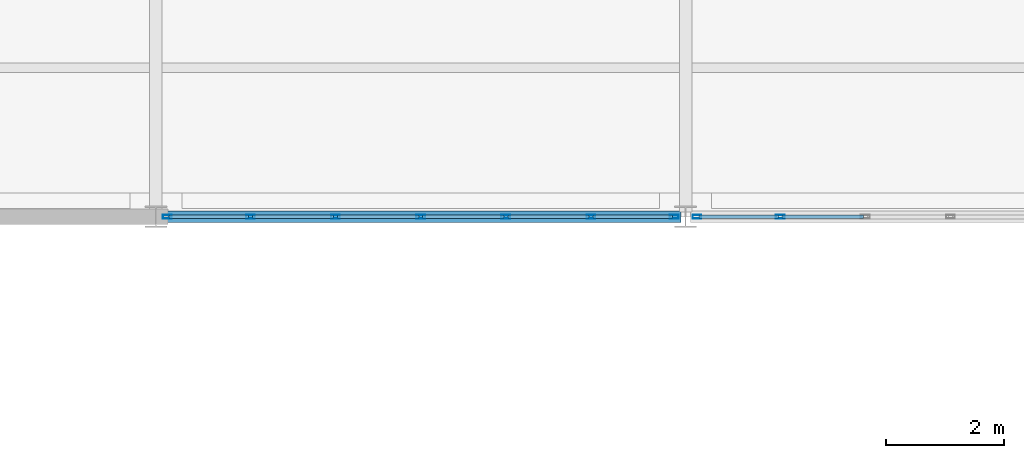
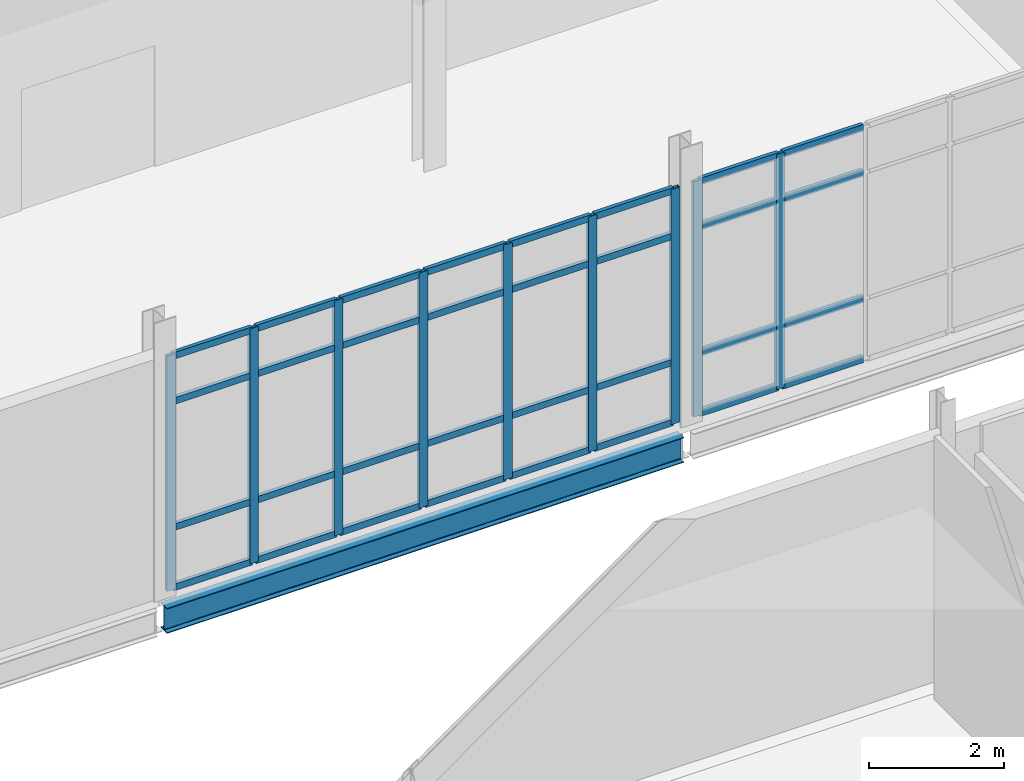
# One storey, part 36 of 161: 41 members, 1 beam, 2 elements without a shape of their own.
"""IFC4 building model written with IfcOpenShell, lengths in metres."""

from ifc_helpers import new_model, si_unit, direction, frame, origin, origin_2d, place, context, subcontext, project, spatial, hollow_rectangle, i_section, extrude, material, material_profile, profile_set, type_object, element, aggregate, save


model = new_model("IFC4")

# Units and contexts
model_context = context("Model", 3, precision=1e-05, world=origin(), true_north=direction((0.0, 1.0)))
body_context = subcontext(model_context, "Body", "Model", "MODEL_VIEW")
ifc_project = project(units=[si_unit("LENGTHUNIT", "METRE"), si_unit("AREAUNIT", "SQUARE_METRE"), si_unit("VOLUMEUNIT", "CUBIC_METRE"), si_unit("PLANEANGLEUNIT", "RADIAN"), si_unit("MASSUNIT", "GRAM", prefix="KILO")], contexts=[model_context])

# Site, building, storey
site_placement = place(None, origin())
site = spatial("IfcSite", under=ifc_project, at=site_placement, CompositionType="ELEMENT")
building_placement = place(site_placement, origin())
building = spatial("IfcBuilding", under=site, at=building_placement, Name="Caisbarro Railhouse Central Library", CompositionType="ELEMENT")
storey_placement = place(building_placement, origin())
storey = spatial("IfcBuildingStorey", under=building, at=storey_placement, Name="L00", CompositionType="ELEMENT", Elevation=0.0)

# Beam
ifc_material_1 = material(Name="Steel ASTM A572 Grade 50", Category="steel")
ifc_material_profile_1 = material_profile(ifc_material_1, i_section(OverallWidth=0.18994140625, OverallDepth=0.45703125, WebThickness=0.009033203125, FlangeThickness=0.014404296875, FilletRadius=0.01806640625, at=origin_2d()), Name="W460X74.0")
ifc_profile_set_1 = profile_set([ifc_material_profile_1], Name="Steel ASTM A572 Grade 50")
beam_type = type_object("IfcBeamType", Name="BM-SP01", PredefinedType="SPANDREL", material=ifc_profile_set_1)
beam_placement = place(storey_placement, frame((36.080078125, 30.39990234375, -0.478515625), z_axis=(1.0, 0.0, 0.0), x_axis=(0.0, 1.0, 0.0)))
element("IfcBeam", 1, at=beam_placement, inside=storey, type_object=beam_type, Name="SP01 beam L00 #249", PredefinedType="SPANDREL", context=body_context, shape_type="SweptSolid", body=[
    extrude(i_section(OverallWidth=0.18994140625, OverallDepth=0.45703125, WebThickness=0.009033203125, FlangeThickness=0.014404296875, FilletRadius=0.01806640625, at=origin_2d()), origin(), (0.0, 0.0, 1.0), 8.83984375),
])

# Curtain wall, members
ifc_material_2 = material(Name="Anodised architectural aluminium", Category="aluminium")
curtain_wall_type = type_object("IfcCurtainWallType", Name="CW-CW02", PredefinedType="NOTDEFINED", material=ifc_material_2)
curtain_wall_1_placement = place(storey_placement, origin())
curtain_wall_1 = element("IfcCurtainWall", 2, at=curtain_wall_1_placement, inside=storey, type_object=curtain_wall_type, Name="CW02 curtain wall L00 #26", PredefinedType="NOTDEFINED")
ifc_material_profile_2 = material_profile(ifc_material_2, hollow_rectangle(XDim=0.06494140625, YDim=0.14990234375, WallThickness=0.00390625, at=origin_2d()), Name="ALU-MUL-65X150")
ifc_profile_set_2 = profile_set([ifc_material_profile_2], Name="Anodised architectural aluminium")
member_type_1 = type_object("IfcMemberType", Name="CWM-M02", PredefinedType="MULLION", material=ifc_profile_set_2)
member_1_placement = place(storey_placement, frame((36.1923828125, 30.39990234375, 0.0), z_axis=(0.0, 0.0, 1.0), x_axis=(0.0, 1.0, 0.0)))
member_1 = element("IfcMember", 3, at=member_1_placement, type_object=member_type_1, Name="CW02 mullion 1", PredefinedType="MULLION", context=body_context, shape_type="SweptSolid", body=[
    extrude(hollow_rectangle(XDim=0.06494140625, YDim=0.14990234375, WallThickness=0.00390625, at=origin_2d()), origin(), (0.0, 0.0, 1.0), 4.25),
])
member_2_placement = place(storey_placement, frame((37.606689453125, 30.39990234375, 0.0), z_axis=(0.0, 0.0, 1.0), x_axis=(0.0, 1.0, 0.0)))
member_2 = element("IfcMember", 4, at=member_2_placement, type_object=member_type_1, Name="CW02 mullion 2", PredefinedType="MULLION", context=body_context, shape_type="SweptSolid", body=[
    extrude(hollow_rectangle(XDim=0.06494140625, YDim=0.14990234375, WallThickness=0.00390625, at=origin_2d()), origin(), (0.0, 0.0, 1.0), 4.25),
])
member_3_placement = place(storey_placement, frame((39.05322265625, 30.39990234375, 0.0), z_axis=(0.0, 0.0, 1.0), x_axis=(0.0, 1.0, 0.0)))
member_3 = element("IfcMember", 5, at=member_3_placement, type_object=member_type_1, Name="CW02 mullion 3", PredefinedType="MULLION", context=body_context, shape_type="SweptSolid", body=[
    extrude(hollow_rectangle(XDim=0.06494140625, YDim=0.14990234375, WallThickness=0.00390625, at=origin_2d()), origin(), (0.0, 0.0, 1.0), 4.25),
])
member_4_placement = place(storey_placement, frame((40.5, 30.39990234375, 0.0), z_axis=(0.0, 0.0, 1.0), x_axis=(0.0, 1.0, 0.0)))
member_4 = element("IfcMember", 6, at=member_4_placement, type_object=member_type_1, Name="CW02 mullion 4", PredefinedType="MULLION", context=body_context, shape_type="SweptSolid", body=[
    extrude(hollow_rectangle(XDim=0.06494140625, YDim=0.14990234375, WallThickness=0.00390625, at=origin_2d()), origin(), (0.0, 0.0, 1.0), 4.25),
])
member_5_placement = place(storey_placement, frame((41.94677734375, 30.39990234375, 0.0), z_axis=(0.0, 0.0, 1.0), x_axis=(0.0, 1.0, 0.0)))
member_5 = element("IfcMember", 7, at=member_5_placement, type_object=member_type_1, Name="CW02 mullion 5", PredefinedType="MULLION", context=body_context, shape_type="SweptSolid", body=[
    extrude(hollow_rectangle(XDim=0.06494140625, YDim=0.14990234375, WallThickness=0.00390625, at=origin_2d()), origin(), (0.0, 0.0, 1.0), 4.25),
])
member_6_placement = place(storey_placement, frame((43.393310546875, 30.39990234375, 0.0), z_axis=(0.0, 0.0, 1.0), x_axis=(0.0, 1.0, 0.0)))
member_6 = element("IfcMember", 8, at=member_6_placement, type_object=member_type_1, Name="CW02 mullion 6", PredefinedType="MULLION", context=body_context, shape_type="SweptSolid", body=[
    extrude(hollow_rectangle(XDim=0.06494140625, YDim=0.14990234375, WallThickness=0.00390625, at=origin_2d()), origin(), (0.0, 0.0, 1.0), 4.25),
])
member_7_placement = place(storey_placement, frame((44.8076171875, 30.39990234375, 0.0), z_axis=(0.0, 0.0, 1.0), x_axis=(0.0, 1.0, 0.0)))
member_7 = element("IfcMember", 9, at=member_7_placement, type_object=member_type_1, Name="CW02 mullion 7", PredefinedType="MULLION", context=body_context, shape_type="SweptSolid", body=[
    extrude(hollow_rectangle(XDim=0.06494140625, YDim=0.14990234375, WallThickness=0.00390625, at=origin_2d()), origin(), (0.0, 0.0, 1.0), 4.25),
])

curtain_wall_2_placement = place(storey_placement, origin())
curtain_wall_2 = element("IfcCurtainWall", 10, at=curtain_wall_2_placement, inside=storey, type_object=curtain_wall_type, Name="CW02 curtain wall L00 #27", PredefinedType="NOTDEFINED")
member_8_placement = place(storey_placement, frame((45.1923828125, 30.39990234375, 0.0), z_axis=(0.0, 0.0, 1.0), x_axis=(0.0, 1.0, 0.0)))
member_8 = element("IfcMember", 11, at=member_8_placement, type_object=member_type_1, Name="CW02 mullion 1", PredefinedType="MULLION", context=body_context, shape_type="SweptSolid", body=[
    extrude(hollow_rectangle(XDim=0.06494140625, YDim=0.14990234375, WallThickness=0.00390625, at=origin_2d()), origin(), (0.0, 0.0, 1.0), 4.25),
])
member_9_placement = place(storey_placement, frame((46.606689453125, 30.39990234375, 0.0), z_axis=(0.0, 0.0, 1.0), x_axis=(0.0, 1.0, 0.0)))
member_9 = element("IfcMember", 12, at=member_9_placement, type_object=member_type_1, Name="CW02 mullion 2", PredefinedType="MULLION", context=body_context, shape_type="SweptSolid", body=[
    extrude(hollow_rectangle(XDim=0.06494140625, YDim=0.14990234375, WallThickness=0.00390625, at=origin_2d()), origin(), (0.0, 0.0, 1.0), 4.25),
])

# Member
ifc_material_profile_3 = material_profile(ifc_material_2, hollow_rectangle(XDim=0.06494140625, YDim=0.1201171875, WallThickness=0.00341796875, at=origin_2d()), Name="ALU-TRN-65X120")
ifc_profile_set_3 = profile_set([ifc_material_profile_3], Name="Anodised architectural aluminium")
member_type_2 = type_object("IfcMemberType", Name="CWT-T02", PredefinedType="USERDEFINED", material=ifc_profile_set_3)
member_10_placement = place(storey_placement, frame((36.22509765625, 30.39990234375, 0.032470703125), z_axis=(1.0, 0.0, 0.0), x_axis=(0.0, 1.0, 0.0)))
member_10 = element("IfcMember", 13, at=member_10_placement, type_object=member_type_2, Name="CW02 transom 1.1", ObjectType="TRANSOM", PredefinedType="USERDEFINED", context=body_context, shape_type="SweptSolid", body=[
    extrude(hollow_rectangle(XDim=0.06494140625, YDim=0.1201171875, WallThickness=0.00341796875, at=origin_2d()), origin(), (0.0, 0.0, 1.0), 1.34912109375),
])

member_11_placement = place(storey_placement, frame((36.22509765625, 30.39990234375, 1.1201171875), z_axis=(1.0, 0.0, 0.0), x_axis=(0.0, 1.0, 0.0)))
member_11 = element("IfcMember", 14, at=member_11_placement, type_object=member_type_2, Name="CW02 transom 1.2", ObjectType="TRANSOM", PredefinedType="USERDEFINED", context=body_context, shape_type="SweptSolid", body=[
    extrude(hollow_rectangle(XDim=0.06494140625, YDim=0.1201171875, WallThickness=0.00341796875, at=origin_2d()), origin(), (0.0, 0.0, 1.0), 1.34912109375),
])

member_12_placement = place(storey_placement, frame((36.22509765625, 30.39990234375, 3.39990234375), z_axis=(1.0, 0.0, 0.0), x_axis=(0.0, 1.0, 0.0)))
member_12 = element("IfcMember", 15, at=member_12_placement, type_object=member_type_2, Name="CW02 transom 1.3", ObjectType="TRANSOM", PredefinedType="USERDEFINED", context=body_context, shape_type="SweptSolid", body=[
    extrude(hollow_rectangle(XDim=0.06494140625, YDim=0.1201171875, WallThickness=0.00341796875, at=origin_2d()), origin(), (0.0, 0.0, 1.0), 1.34912109375),
])

member_13_placement = place(storey_placement, frame((36.22509765625, 30.39990234375, 4.217529296875), z_axis=(1.0, 0.0, 0.0), x_axis=(0.0, 1.0, 0.0)))
member_13 = element("IfcMember", 16, at=member_13_placement, type_object=member_type_2, Name="CW02 transom 1.4", ObjectType="TRANSOM", PredefinedType="USERDEFINED", context=body_context, shape_type="SweptSolid", body=[
    extrude(hollow_rectangle(XDim=0.06494140625, YDim=0.1201171875, WallThickness=0.00341796875, at=origin_2d()), origin(), (0.0, 0.0, 1.0), 1.34912109375),
])

member_14_placement = place(storey_placement, frame((37.63916015625, 30.39990234375, 0.032470703125), z_axis=(1.0, 0.0, 0.0), x_axis=(0.0, 1.0, 0.0)))
member_14 = element("IfcMember", 17, at=member_14_placement, type_object=member_type_2, Name="CW02 transom 2.1", ObjectType="TRANSOM", PredefinedType="USERDEFINED", context=body_context, shape_type="SweptSolid", body=[
    extrude(hollow_rectangle(XDim=0.06494140625, YDim=0.1201171875, WallThickness=0.00341796875, at=origin_2d()), origin(), (0.0, 0.0, 1.0), 1.381591796875),
])

member_15_placement = place(storey_placement, frame((37.63916015625, 30.39990234375, 1.1201171875), z_axis=(1.0, 0.0, 0.0), x_axis=(0.0, 1.0, 0.0)))
member_15 = element("IfcMember", 18, at=member_15_placement, type_object=member_type_2, Name="CW02 transom 2.2", ObjectType="TRANSOM", PredefinedType="USERDEFINED", context=body_context, shape_type="SweptSolid", body=[
    extrude(hollow_rectangle(XDim=0.06494140625, YDim=0.1201171875, WallThickness=0.00341796875, at=origin_2d()), origin(), (0.0, 0.0, 1.0), 1.381591796875),
])

member_16_placement = place(storey_placement, frame((37.63916015625, 30.39990234375, 3.39990234375), z_axis=(1.0, 0.0, 0.0), x_axis=(0.0, 1.0, 0.0)))
member_16 = element("IfcMember", 19, at=member_16_placement, type_object=member_type_2, Name="CW02 transom 2.3", ObjectType="TRANSOM", PredefinedType="USERDEFINED", context=body_context, shape_type="SweptSolid", body=[
    extrude(hollow_rectangle(XDim=0.06494140625, YDim=0.1201171875, WallThickness=0.00341796875, at=origin_2d()), origin(), (0.0, 0.0, 1.0), 1.381591796875),
])

member_17_placement = place(storey_placement, frame((37.63916015625, 30.39990234375, 4.217529296875), z_axis=(1.0, 0.0, 0.0), x_axis=(0.0, 1.0, 0.0)))
member_17 = element("IfcMember", 20, at=member_17_placement, type_object=member_type_2, Name="CW02 transom 2.4", ObjectType="TRANSOM", PredefinedType="USERDEFINED", context=body_context, shape_type="SweptSolid", body=[
    extrude(hollow_rectangle(XDim=0.06494140625, YDim=0.1201171875, WallThickness=0.00341796875, at=origin_2d()), origin(), (0.0, 0.0, 1.0), 1.381591796875),
])

member_18_placement = place(storey_placement, frame((39.0859375, 30.39990234375, 0.032470703125), z_axis=(1.0, 0.0, 0.0), x_axis=(0.0, 1.0, 0.0)))
member_18 = element("IfcMember", 21, at=member_18_placement, type_object=member_type_2, Name="CW02 transom 3.1", ObjectType="TRANSOM", PredefinedType="USERDEFINED", context=body_context, shape_type="SweptSolid", body=[
    extrude(hollow_rectangle(XDim=0.06494140625, YDim=0.1201171875, WallThickness=0.00341796875, at=origin_2d()), origin(), (0.0, 0.0, 1.0), 1.381591796875),
])

member_19_placement = place(storey_placement, frame((39.0859375, 30.39990234375, 1.1201171875), z_axis=(1.0, 0.0, 0.0), x_axis=(0.0, 1.0, 0.0)))
member_19 = element("IfcMember", 22, at=member_19_placement, type_object=member_type_2, Name="CW02 transom 3.2", ObjectType="TRANSOM", PredefinedType="USERDEFINED", context=body_context, shape_type="SweptSolid", body=[
    extrude(hollow_rectangle(XDim=0.06494140625, YDim=0.1201171875, WallThickness=0.00341796875, at=origin_2d()), origin(), (0.0, 0.0, 1.0), 1.381591796875),
])

member_20_placement = place(storey_placement, frame((39.0859375, 30.39990234375, 3.39990234375), z_axis=(1.0, 0.0, 0.0), x_axis=(0.0, 1.0, 0.0)))
member_20 = element("IfcMember", 23, at=member_20_placement, type_object=member_type_2, Name="CW02 transom 3.3", ObjectType="TRANSOM", PredefinedType="USERDEFINED", context=body_context, shape_type="SweptSolid", body=[
    extrude(hollow_rectangle(XDim=0.06494140625, YDim=0.1201171875, WallThickness=0.00341796875, at=origin_2d()), origin(), (0.0, 0.0, 1.0), 1.381591796875),
])

member_21_placement = place(storey_placement, frame((39.0859375, 30.39990234375, 4.217529296875), z_axis=(1.0, 0.0, 0.0), x_axis=(0.0, 1.0, 0.0)))
member_21 = element("IfcMember", 24, at=member_21_placement, type_object=member_type_2, Name="CW02 transom 3.4", ObjectType="TRANSOM", PredefinedType="USERDEFINED", context=body_context, shape_type="SweptSolid", body=[
    extrude(hollow_rectangle(XDim=0.06494140625, YDim=0.1201171875, WallThickness=0.00341796875, at=origin_2d()), origin(), (0.0, 0.0, 1.0), 1.381591796875),
])

member_22_placement = place(storey_placement, frame((40.532470703125, 30.39990234375, 0.032470703125), z_axis=(1.0, 0.0, 0.0), x_axis=(0.0, 1.0, 0.0)))
member_22 = element("IfcMember", 25, at=member_22_placement, type_object=member_type_2, Name="CW02 transom 4.1", ObjectType="TRANSOM", PredefinedType="USERDEFINED", context=body_context, shape_type="SweptSolid", body=[
    extrude(hollow_rectangle(XDim=0.06494140625, YDim=0.1201171875, WallThickness=0.00341796875, at=origin_2d()), origin(), (0.0, 0.0, 1.0), 1.381591796875),
])

member_23_placement = place(storey_placement, frame((40.532470703125, 30.39990234375, 1.1201171875), z_axis=(1.0, 0.0, 0.0), x_axis=(0.0, 1.0, 0.0)))
member_23 = element("IfcMember", 26, at=member_23_placement, type_object=member_type_2, Name="CW02 transom 4.2", ObjectType="TRANSOM", PredefinedType="USERDEFINED", context=body_context, shape_type="SweptSolid", body=[
    extrude(hollow_rectangle(XDim=0.06494140625, YDim=0.1201171875, WallThickness=0.00341796875, at=origin_2d()), origin(), (0.0, 0.0, 1.0), 1.381591796875),
])

member_24_placement = place(storey_placement, frame((40.532470703125, 30.39990234375, 3.39990234375), z_axis=(1.0, 0.0, 0.0), x_axis=(0.0, 1.0, 0.0)))
member_24 = element("IfcMember", 27, at=member_24_placement, type_object=member_type_2, Name="CW02 transom 4.3", ObjectType="TRANSOM", PredefinedType="USERDEFINED", context=body_context, shape_type="SweptSolid", body=[
    extrude(hollow_rectangle(XDim=0.06494140625, YDim=0.1201171875, WallThickness=0.00341796875, at=origin_2d()), origin(), (0.0, 0.0, 1.0), 1.381591796875),
])

member_25_placement = place(storey_placement, frame((40.532470703125, 30.39990234375, 4.217529296875), z_axis=(1.0, 0.0, 0.0), x_axis=(0.0, 1.0, 0.0)))
member_25 = element("IfcMember", 28, at=member_25_placement, type_object=member_type_2, Name="CW02 transom 4.4", ObjectType="TRANSOM", PredefinedType="USERDEFINED", context=body_context, shape_type="SweptSolid", body=[
    extrude(hollow_rectangle(XDim=0.06494140625, YDim=0.1201171875, WallThickness=0.00341796875, at=origin_2d()), origin(), (0.0, 0.0, 1.0), 1.381591796875),
])

member_26_placement = place(storey_placement, frame((41.979248046875, 30.39990234375, 0.032470703125), z_axis=(1.0, 0.0, 0.0), x_axis=(0.0, 1.0, 0.0)))
member_26 = element("IfcMember", 29, at=member_26_placement, type_object=member_type_2, Name="CW02 transom 5.1", ObjectType="TRANSOM", PredefinedType="USERDEFINED", context=body_context, shape_type="SweptSolid", body=[
    extrude(hollow_rectangle(XDim=0.06494140625, YDim=0.1201171875, WallThickness=0.00341796875, at=origin_2d()), origin(), (0.0, 0.0, 1.0), 1.381591796875),
])

member_27_placement = place(storey_placement, frame((41.979248046875, 30.39990234375, 1.1201171875), z_axis=(1.0, 0.0, 0.0), x_axis=(0.0, 1.0, 0.0)))
member_27 = element("IfcMember", 30, at=member_27_placement, type_object=member_type_2, Name="CW02 transom 5.2", ObjectType="TRANSOM", PredefinedType="USERDEFINED", context=body_context, shape_type="SweptSolid", body=[
    extrude(hollow_rectangle(XDim=0.06494140625, YDim=0.1201171875, WallThickness=0.00341796875, at=origin_2d()), origin(), (0.0, 0.0, 1.0), 1.381591796875),
])

member_28_placement = place(storey_placement, frame((41.979248046875, 30.39990234375, 3.39990234375), z_axis=(1.0, 0.0, 0.0), x_axis=(0.0, 1.0, 0.0)))
member_28 = element("IfcMember", 31, at=member_28_placement, type_object=member_type_2, Name="CW02 transom 5.3", ObjectType="TRANSOM", PredefinedType="USERDEFINED", context=body_context, shape_type="SweptSolid", body=[
    extrude(hollow_rectangle(XDim=0.06494140625, YDim=0.1201171875, WallThickness=0.00341796875, at=origin_2d()), origin(), (0.0, 0.0, 1.0), 1.381591796875),
])

member_29_placement = place(storey_placement, frame((41.979248046875, 30.39990234375, 4.217529296875), z_axis=(1.0, 0.0, 0.0), x_axis=(0.0, 1.0, 0.0)))
member_29 = element("IfcMember", 32, at=member_29_placement, type_object=member_type_2, Name="CW02 transom 5.4", ObjectType="TRANSOM", PredefinedType="USERDEFINED", context=body_context, shape_type="SweptSolid", body=[
    extrude(hollow_rectangle(XDim=0.06494140625, YDim=0.1201171875, WallThickness=0.00341796875, at=origin_2d()), origin(), (0.0, 0.0, 1.0), 1.381591796875),
])

member_30_placement = place(storey_placement, frame((43.42578125, 30.39990234375, 0.032470703125), z_axis=(1.0, 0.0, 0.0), x_axis=(0.0, 1.0, 0.0)))
member_30 = element("IfcMember", 33, at=member_30_placement, type_object=member_type_2, Name="CW02 transom 6.1", ObjectType="TRANSOM", PredefinedType="USERDEFINED", context=body_context, shape_type="SweptSolid", body=[
    extrude(hollow_rectangle(XDim=0.06494140625, YDim=0.1201171875, WallThickness=0.00341796875, at=origin_2d()), origin(), (0.0, 0.0, 1.0), 1.34912109375),
])

member_31_placement = place(storey_placement, frame((43.42578125, 30.39990234375, 1.1201171875), z_axis=(1.0, 0.0, 0.0), x_axis=(0.0, 1.0, 0.0)))
member_31 = element("IfcMember", 34, at=member_31_placement, type_object=member_type_2, Name="CW02 transom 6.2", ObjectType="TRANSOM", PredefinedType="USERDEFINED", context=body_context, shape_type="SweptSolid", body=[
    extrude(hollow_rectangle(XDim=0.06494140625, YDim=0.1201171875, WallThickness=0.00341796875, at=origin_2d()), origin(), (0.0, 0.0, 1.0), 1.34912109375),
])

member_32_placement = place(storey_placement, frame((43.42578125, 30.39990234375, 3.39990234375), z_axis=(1.0, 0.0, 0.0), x_axis=(0.0, 1.0, 0.0)))
member_32 = element("IfcMember", 35, at=member_32_placement, type_object=member_type_2, Name="CW02 transom 6.3", ObjectType="TRANSOM", PredefinedType="USERDEFINED", context=body_context, shape_type="SweptSolid", body=[
    extrude(hollow_rectangle(XDim=0.06494140625, YDim=0.1201171875, WallThickness=0.00341796875, at=origin_2d()), origin(), (0.0, 0.0, 1.0), 1.34912109375),
])

member_33_placement = place(storey_placement, frame((43.42578125, 30.39990234375, 4.217529296875), z_axis=(1.0, 0.0, 0.0), x_axis=(0.0, 1.0, 0.0)))
member_33 = element("IfcMember", 36, at=member_33_placement, type_object=member_type_2, Name="CW02 transom 6.4", ObjectType="TRANSOM", PredefinedType="USERDEFINED", context=body_context, shape_type="SweptSolid", body=[
    extrude(hollow_rectangle(XDim=0.06494140625, YDim=0.1201171875, WallThickness=0.00341796875, at=origin_2d()), origin(), (0.0, 0.0, 1.0), 1.34912109375),
])

aggregate(curtain_wall_1, [member_1, member_2, member_3, member_4, member_5, member_6, member_7, member_10, member_11, member_12, member_13, member_14, member_15, member_16, member_17, member_18, member_19, member_20, member_21, member_22, member_23, member_24, member_25, member_26, member_27, member_28, member_29, member_30, member_31, member_32, member_33])

member_34_placement = place(storey_placement, frame((45.22509765625, 30.39990234375, 0.032470703125), z_axis=(1.0, 0.0, 0.0), x_axis=(0.0, 1.0, 0.0)))
member_34 = element("IfcMember", 37, at=member_34_placement, type_object=member_type_2, Name="CW02 transom 1.1", ObjectType="TRANSOM", PredefinedType="USERDEFINED", context=body_context, shape_type="SweptSolid", body=[
    extrude(hollow_rectangle(XDim=0.06494140625, YDim=0.1201171875, WallThickness=0.00341796875, at=origin_2d()), origin(), (0.0, 0.0, 1.0), 1.34912109375),
])

member_35_placement = place(storey_placement, frame((45.22509765625, 30.39990234375, 1.1201171875), z_axis=(1.0, 0.0, 0.0), x_axis=(0.0, 1.0, 0.0)))
member_35 = element("IfcMember", 38, at=member_35_placement, type_object=member_type_2, Name="CW02 transom 1.2", ObjectType="TRANSOM", PredefinedType="USERDEFINED", context=body_context, shape_type="SweptSolid", body=[
    extrude(hollow_rectangle(XDim=0.06494140625, YDim=0.1201171875, WallThickness=0.00341796875, at=origin_2d()), origin(), (0.0, 0.0, 1.0), 1.34912109375),
])

member_36_placement = place(storey_placement, frame((45.22509765625, 30.39990234375, 3.39990234375), z_axis=(1.0, 0.0, 0.0), x_axis=(0.0, 1.0, 0.0)))
member_36 = element("IfcMember", 39, at=member_36_placement, type_object=member_type_2, Name="CW02 transom 1.3", ObjectType="TRANSOM", PredefinedType="USERDEFINED", context=body_context, shape_type="SweptSolid", body=[
    extrude(hollow_rectangle(XDim=0.06494140625, YDim=0.1201171875, WallThickness=0.00341796875, at=origin_2d()), origin(), (0.0, 0.0, 1.0), 1.34912109375),
])

member_37_placement = place(storey_placement, frame((45.22509765625, 30.39990234375, 4.217529296875), z_axis=(1.0, 0.0, 0.0), x_axis=(0.0, 1.0, 0.0)))
member_37 = element("IfcMember", 40, at=member_37_placement, type_object=member_type_2, Name="CW02 transom 1.4", ObjectType="TRANSOM", PredefinedType="USERDEFINED", context=body_context, shape_type="SweptSolid", body=[
    extrude(hollow_rectangle(XDim=0.06494140625, YDim=0.1201171875, WallThickness=0.00341796875, at=origin_2d()), origin(), (0.0, 0.0, 1.0), 1.34912109375),
])

member_38_placement = place(storey_placement, frame((46.63916015625, 30.39990234375, 0.032470703125), z_axis=(1.0, 0.0, 0.0), x_axis=(0.0, 1.0, 0.0)))
member_38 = element("IfcMember", 41, at=member_38_placement, type_object=member_type_2, Name="CW02 transom 2.1", ObjectType="TRANSOM", PredefinedType="USERDEFINED", context=body_context, shape_type="SweptSolid", body=[
    extrude(hollow_rectangle(XDim=0.06494140625, YDim=0.1201171875, WallThickness=0.00341796875, at=origin_2d()), origin(), (0.0, 0.0, 1.0), 1.381591796875),
])

member_39_placement = place(storey_placement, frame((46.63916015625, 30.39990234375, 1.1201171875), z_axis=(1.0, 0.0, 0.0), x_axis=(0.0, 1.0, 0.0)))
member_39 = element("IfcMember", 42, at=member_39_placement, type_object=member_type_2, Name="CW02 transom 2.2", ObjectType="TRANSOM", PredefinedType="USERDEFINED", context=body_context, shape_type="SweptSolid", body=[
    extrude(hollow_rectangle(XDim=0.06494140625, YDim=0.1201171875, WallThickness=0.00341796875, at=origin_2d()), origin(), (0.0, 0.0, 1.0), 1.381591796875),
])

member_40_placement = place(storey_placement, frame((46.63916015625, 30.39990234375, 3.39990234375), z_axis=(1.0, 0.0, 0.0), x_axis=(0.0, 1.0, 0.0)))
member_40 = element("IfcMember", 43, at=member_40_placement, type_object=member_type_2, Name="CW02 transom 2.3", ObjectType="TRANSOM", PredefinedType="USERDEFINED", context=body_context, shape_type="SweptSolid", body=[
    extrude(hollow_rectangle(XDim=0.06494140625, YDim=0.1201171875, WallThickness=0.00341796875, at=origin_2d()), origin(), (0.0, 0.0, 1.0), 1.381591796875),
])

member_41_placement = place(storey_placement, frame((46.63916015625, 30.39990234375, 4.217529296875), z_axis=(1.0, 0.0, 0.0), x_axis=(0.0, 1.0, 0.0)))
member_41 = element("IfcMember", 44, at=member_41_placement, type_object=member_type_2, Name="CW02 transom 2.4", ObjectType="TRANSOM", PredefinedType="USERDEFINED", context=body_context, shape_type="SweptSolid", body=[
    extrude(hollow_rectangle(XDim=0.06494140625, YDim=0.1201171875, WallThickness=0.00341796875, at=origin_2d()), origin(), (0.0, 0.0, 1.0), 1.381591796875),
])

aggregate(curtain_wall_2, [member_8, member_9, member_34, member_35, member_36, member_37, member_38, member_39, member_40, member_41])

save(model, "model.ifc")
